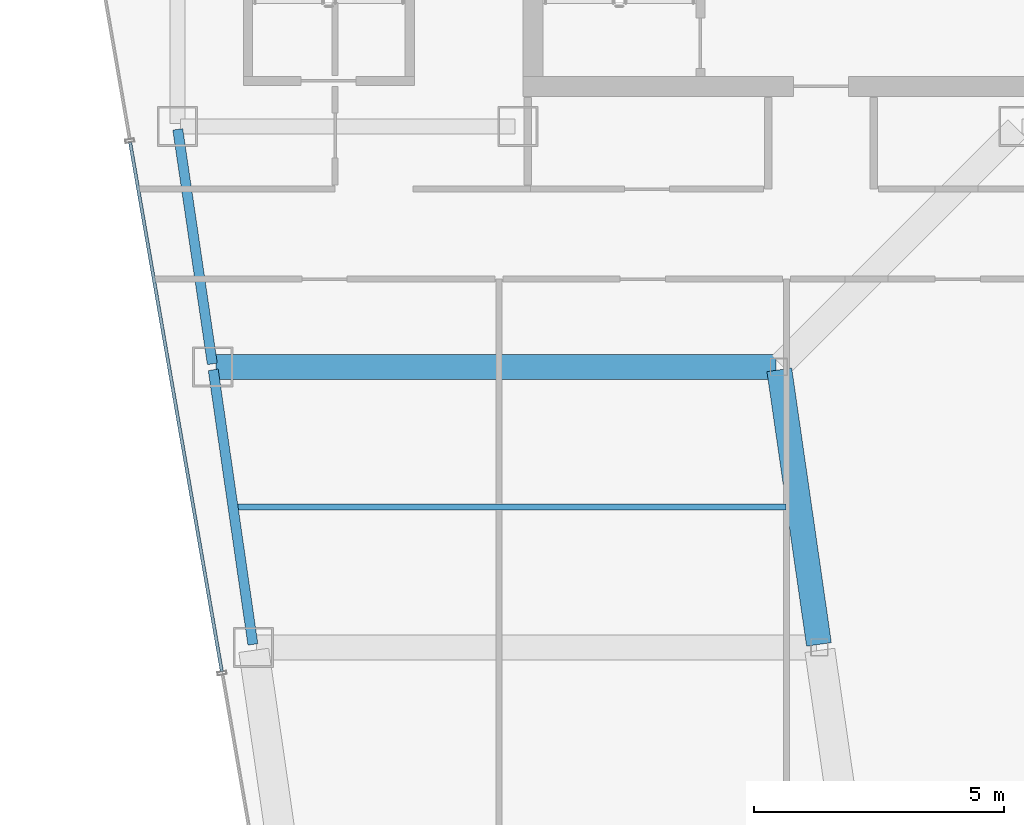
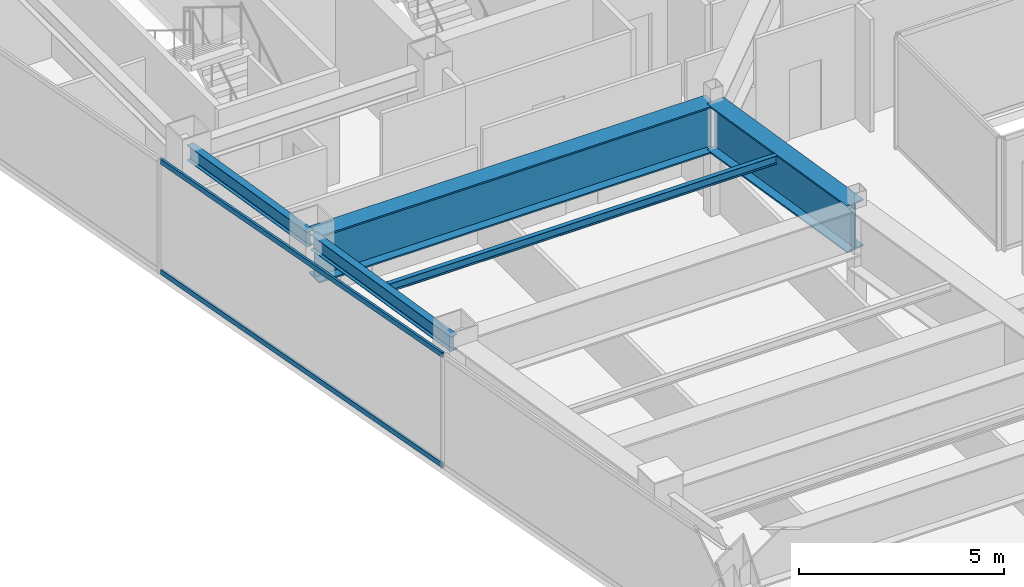
# One storey, part 9 of 35: 5 beams, 2 members, 1 element without a shape of its own.
"""IFC4 building model written with IfcOpenShell, lengths in metres."""

import ifcopenshell
import ifcopenshell.guid

model = None  # the IFC model being written
_history = None  # IfcOwnerHistory: only IFC2X3 demands one
_inside = {}  # id of a spatial element -> (the spatial element, [elements in it])
_under = {}  # id of a project, library or spatial element -> (it, [spatial elements below it])
_declared = {}  # id of a project -> (the project, [libraries it declares])
_typed = {}  # id of a type object -> (the type object, [elements of that type])
_made_of = {}  # id of a material, layer set ... -> (it, [elements and type objects made of it])


def new_model(schema):
    """Start an empty IFC model of exactly this schema.

    Asked for "IFC4X3", IfcOpenShell would pick the latest addendum, in which some entities
    have other attributes; the version numbers below select the first issue.
    IFC2X3 requires an IfcOwnerHistory on every rooted entity: one is made here for all.
    """
    global model, _history
    if schema == "IFC4X3":
        model = ifcopenshell.file(schema_version=(4, 3, 0, 0))
    else:
        model = ifcopenshell.file(schema=schema)
    _inside.clear()
    _under.clear()
    _declared.clear()
    _typed.clear()
    _made_of.clear()
    _history = None
    if model.schema == "IFC2X3":
        org = make("IfcOrganization", Name="unknown")
        user = make(
            "IfcPersonAndOrganization",
            ThePerson=make("IfcPerson", FamilyName="unknown"),
            TheOrganization=org,
        )
        app = make(
            "IfcApplication",
            ApplicationDeveloper=org,
            Version="unknown",
            ApplicationFullName="unknown",
            ApplicationIdentifier="unknown",
        )
        _history = make(
            "IfcOwnerHistory",
            OwningUser=user,
            OwningApplication=app,
            ChangeAction="ADDED",
            CreationDate=0,
        )
    return model


def make(cls, **values):
    """One entity of the class cls with the attributes given. An attribute that is None is left unset."""
    return model.create_entity(
        cls, **{name: value for name, value in values.items() if value is not None}
    )


def rooted(cls, **values):
    """An entity with a GlobalId (a new one), such as an element, a storey or a relation."""
    return make(cls, GlobalId=ifcopenshell.guid.new(), OwnerHistory=_history, **values)


def si_unit(unit_type, name, prefix=None):
    """IfcSIUnit, for example si_unit("LENGTHUNIT", "METRE", prefix="MILLI")."""
    return make("IfcSIUnit", UnitType=unit_type, Prefix=prefix, Name=name)


def assignment(units):
    """IfcUnitAssignment: the units of a project."""
    return None if units is None else make("IfcUnitAssignment", Units=units)


def point(xyz):
    """IfcCartesianPoint."""
    return None if xyz is None else make("IfcCartesianPoint", Coordinates=xyz)


def direction(xyz):
    """IfcDirection."""
    return None if xyz is None else make("IfcDirection", DirectionRatios=xyz)


def frame(location, z_axis=None, x_axis=None):
    """IfcAxis2Placement3D, a coordinate frame: its origin and axes. An axis left out is left unset."""
    return make(
        "IfcAxis2Placement3D",
        Location=point(location),
        Axis=direction(z_axis),
        RefDirection=direction(x_axis),
    )


def frame_2d(location, x_axis=None):
    """IfcAxis2Placement2D, a coordinate frame in the plane: its origin and x axis."""
    return make(
        "IfcAxis2Placement2D", Location=point(location), RefDirection=direction(x_axis)
    )


def origin():
    """The frame at (0, 0, 0) with its axes left unset."""
    return frame((0.0, 0.0, 0.0))


def origin_2d():
    """The frame at (0, 0) in the plane with its x axis left unset."""
    return frame_2d((0.0, 0.0))


def place(relative_to, where):
    """IfcLocalPlacement: puts the frame where relative to a parent placement (None: the world)."""
    return make(
        "IfcLocalPlacement", PlacementRelTo=relative_to, RelativePlacement=where
    )


def context(
    kind, dimensions, precision=None, world=None, true_north=None, identifier=None
):
    """IfcGeometricRepresentationContext, for example the 3D "Model" context."""
    return make(
        "IfcGeometricRepresentationContext",
        ContextIdentifier=identifier,
        ContextType=kind,
        CoordinateSpaceDimension=dimensions,
        Precision=precision,
        WorldCoordinateSystem=world,
        TrueNorth=true_north,
    )


def subcontext(parent, identifier, kind, view, scale=None):
    """IfcGeometricRepresentationSubContext, for example "Body" below "Model"."""
    return make(
        "IfcGeometricRepresentationSubContext",
        ContextIdentifier=identifier,
        ContextType=kind,
        ParentContext=parent,
        TargetScale=scale,
        TargetView=view,
    )


def project(units=None, contexts=None):
    """IfcProject with its units and contexts."""
    return rooted(
        "IfcProject",
        Name="project",
        RepresentationContexts=contexts,
        UnitsInContext=assignment(units),
    )


def spatial(cls, under=None, at=None, **own):
    """A site, building, storey or space (cls), placed at a placement, below another one or the project."""
    s = rooted(cls, ObjectPlacement=at, **own)
    if under is not None:
        _under.setdefault(under.id(), (under, []))[1].append(s)
    return s


def profile(cls, at=None, kind="AREA", **sizes):
    """A parametric profile (cls). Its sizes go by their IFC names, for example OverallWidth=200.0."""
    return make(cls, ProfileType=kind, Position=at, **sizes)


def hollow_rectangle(**sizes):
    """IfcRectangleHollowProfileDef."""
    return profile("IfcRectangleHollowProfileDef", **sizes)


def i_section(**sizes):
    """IfcIShapeProfileDef."""
    return profile("IfcIShapeProfileDef", **sizes)


def extrude(swept, where, along, depth):
    """IfcExtrudedAreaSolid: the profile swept, set in the frame where, extruded along a direction by depth."""
    return make(
        "IfcExtrudedAreaSolid",
        SweptArea=swept,
        Position=where,
        ExtrudedDirection=direction(along),
        Depth=depth,
    )


def shape(context_of_items, identifier, shape_type, items):
    """IfcShapeRepresentation: the items that make up one representation, for example the "Body"."""
    return make(
        "IfcShapeRepresentation",
        ContextOfItems=context_of_items,
        RepresentationIdentifier=identifier,
        RepresentationType=shape_type,
        Items=items,
    )


def material(Name=None, Category=None):
    """IfcMaterial."""
    return make("IfcMaterial", Name=Name, Category=Category)


def material_profile(
    of_material, cross_section, Name=None, Category=None, Priority=None
):
    """IfcMaterialProfile: a cross section and its material."""
    return make(
        "IfcMaterialProfile",
        Name=Name,
        Material=of_material,
        Profile=cross_section,
        Priority=Priority,
        Category=Category,
    )


def profile_set(profiles, Name=None, composite=None):
    """IfcMaterialProfileSet."""
    return make(
        "IfcMaterialProfileSet",
        Name=Name,
        MaterialProfiles=profiles,
        CompositeProfile=composite,
    )


def made_of(thing, what):
    """Note that an element or type object is made of a material, layer set ...; save() writes the relation."""
    if what is not None:
        _made_of.setdefault(what.id(), (what, []))[1].append(thing)
    return thing


def type_object(cls, material=None, **own):
    """A type object (cls), such as IfcWallType, which elements share."""
    return made_of(rooted(cls, **own), material)


def element(
    cls,
    number,
    at=None,
    inside=None,
    cuts=None,
    type_object=None,
    material=None,
    context=None,
    identifier="Body",
    shape_type=None,
    held_by="IfcProductDefinitionShape",
    body=None,
    shapes=None,
    **own,
):
    """One element of the class cls, such as IfcWall. Its Tag is "e" and its number.

    at: its placement. inside: the storey or other place that contains it. cuts: it is an
    opening in that element (IfcRelVoidsElement). A single representation is given by context,
    identifier, shape_type and body (its items); several are given by shapes. held_by: the class
    of the entity that holds the representations. save() writes the other relations.
    """
    e = rooted(cls, Tag="e%d" % number, ObjectPlacement=at, **own)
    if body is not None:
        shapes = [shape(context, identifier, shape_type, body)]
    if shapes is not None:
        e.Representation = make(held_by, Representations=shapes)
    if inside is not None:
        _inside.setdefault(inside.id(), (inside, []))[1].append(e)
    if cuts is not None:
        rooted(
            "IfcRelVoidsElement", RelatingBuildingElement=cuts, RelatedOpeningElement=e
        )
    if type_object is not None:
        _typed.setdefault(type_object.id(), (type_object, []))[1].append(e)
    return made_of(e, material)


def aggregate(whole, parts):
    """IfcRelAggregates: a whole, such as a stair, and the parts it consists of."""
    return rooted("IfcRelAggregates", RelatingObject=whole, RelatedObjects=parts)


def save(model, path):
    """Write the relations noted so far, then the file.

    IfcRelAggregates (storeys below a building ...), IfcRelContainedInSpatialStructure (elements
    in a storey), IfcRelDefinesByType, IfcRelAssociatesMaterial and IfcRelDeclares: one each for
    every whole, place, type object, material and project.
    """
    for whole, parts in _under.values():
        aggregate(whole, parts)
    for where, things in _inside.values():
        rooted(
            "IfcRelContainedInSpatialStructure",
            RelatedElements=things,
            RelatingStructure=where,
        )
    for kind, things in _typed.values():
        rooted("IfcRelDefinesByType", RelatedObjects=things, RelatingType=kind)
    for what, things in _made_of.values():
        rooted("IfcRelAssociatesMaterial", RelatedObjects=things, RelatingMaterial=what)
    for by, libraries in _declared.values():
        rooted("IfcRelDeclares", RelatingContext=by, RelatedDefinitions=libraries)
    model.write(path)


model = new_model("IFC4")

# Units and contexts
model_context = context("Model", 3, precision=1e-05, world=origin(), true_north=direction((0.0, 1.0)))
body_context = subcontext(model_context, "Body", "Model", "MODEL_VIEW")
ifc_project = project(units=[si_unit("LENGTHUNIT", "METRE"), si_unit("AREAUNIT", "SQUARE_METRE"), si_unit("VOLUMEUNIT", "CUBIC_METRE"), si_unit("PLANEANGLEUNIT", "RADIAN"), si_unit("MASSUNIT", "GRAM", prefix="KILO")], contexts=[model_context])

# Site, building, storey
site_placement = place(None, origin())
site = spatial("IfcSite", under=ifc_project, at=site_placement, CompositionType="ELEMENT")
building_placement = place(site_placement, origin())
building = spatial("IfcBuilding", under=site, at=building_placement, Name="Saevonmaru Cultural Tower", CompositionType="ELEMENT")
storey_placement = place(building_placement, frame((0.0, 0.0, 249.60009765625)))
storey = spatial("IfcBuildingStorey", under=building, at=storey_placement, Name="L58", CompositionType="ELEMENT", Elevation=249.60009765625)

# Beams
ifc_material_1 = material(Name="Steel SM355", Category="steel")
ifc_material_profile_1 = material_profile(ifc_material_1, i_section(OverallWidth=0.125, OverallDepth=0.25, WebThickness=0.006103515625, FlangeThickness=0.009033203125, FilletRadius=0.008056640625, at=origin_2d()), Name="H-250x125x6x9")
ifc_profile_set_1 = profile_set([ifc_material_profile_1], Name="Steel SM355")
beam_type_1 = type_object("IfcBeamType", Name="BM-J-H250", PredefinedType="JOIST", material=ifc_profile_set_1)
beam_1_placement = place(storey_placement, frame((7.972412109375, 34.800048828125, 3.224853515625), z_axis=(1.0, 0.0, 0.0), x_axis=(0.0, 1.0, 0.0)))
element("IfcBeam", 1, at=beam_1_placement, inside=storey, type_object=beam_type_1, Name="L58 West Wing Floor Joist 3", PredefinedType="JOIST", context=body_context, shape_type="SweptSolid", body=[
    extrude(i_section(OverallWidth=0.125, OverallDepth=0.25, WebThickness=0.006103515625, FlangeThickness=0.009033203125, FilletRadius=0.008056640625, at=origin_2d()), origin(), (0.0, 0.0, 1.0), 10.982177734375),
])
ifc_material_profile_2 = material_profile(ifc_material_1, i_section(OverallWidth=0.199951171875, OverallDepth=0.449951171875, WebThickness=0.009033203125, FlangeThickness=0.013916015625, FilletRadius=0.01806640625, at=origin_2d()), Name="H-450x200x9x14")
ifc_profile_set_2 = profile_set([ifc_material_profile_2], Name="Steel SM355")
beam_type_2 = type_object("IfcBeamType", Name="BM-SP-H450", PredefinedType="SPANDREL", material=ifc_profile_set_2)
beam_2_placement = place(storey_placement, frame((8.308349609375, 32.059326171875, 3.125), z_axis=(-0.142964121327, 0.989727871697, 0.0), x_axis=(-0.989727871697, -0.142964121327, 0.0)))
element("IfcBeam", 2, at=beam_2_placement, inside=storey, type_object=beam_type_2, Name="L58 West Splayed Spandrel 3", PredefinedType="SPANDREL", context=body_context, shape_type="SweptSolid", body=[
    extrude(i_section(OverallWidth=0.199951171875, OverallDepth=0.449951171875, WebThickness=0.009033203125, FlangeThickness=0.013916015625, FilletRadius=0.01806640625, at=origin_2d()), origin(), (0.0, 0.0, 1.0), 5.5380859375),
])
beam_3_placement = place(storey_placement, frame((7.499267578125, 37.659423828125, 3.125), z_axis=(-0.145912860028, 0.989297446312, 0.0), x_axis=(-0.989297446312, -0.145912860028, 0.0)))
element("IfcBeam", 3, at=beam_3_placement, inside=storey, type_object=beam_type_2, Name="L58 West Splayed Spandrel 4", PredefinedType="SPANDREL", context=body_context, shape_type="SweptSolid", body=[
    extrude(i_section(OverallWidth=0.199951171875, OverallDepth=0.449951171875, WebThickness=0.009033203125, FlangeThickness=0.013916015625, FilletRadius=0.01806640625, at=origin_2d()), origin(), (0.0, 0.0, 1.0), 4.731689453125),
])
ifc_material_2 = material(Name="Steel HSA600 (600 MPa)", Category="steel")
ifc_material_profile_3 = material_profile(ifc_material_2, i_section(OverallWidth=0.5, OverallDepth=1.39990234375, WebThickness=0.02392578125, FlangeThickness=0.044921875, at=origin_2d()), Name="PG-1400x500x24x45")
ifc_profile_set_3 = profile_set([ifc_material_profile_3], Name="Steel HSA600 (600 MPa)")
beam_type_3 = type_object("IfcBeamType", Name="BM-TG-PG1400", PredefinedType="BEAM", material=ifc_profile_set_3)
beam_4_placement = place(storey_placement, frame((19.6083984375, 32.059326171875, 2.64990234375), z_axis=(-0.142964121327, 0.989727871697, 0.0), x_axis=(-0.989727871697, -0.142964121327, 0.0)))
element("IfcBeam", 4, at=beam_4_placement, inside=storey, type_object=beam_type_3, Name="L58 West Atrium Girder 3", PredefinedType="BEAM", context=body_context, shape_type="SweptSolid", body=[
    extrude(i_section(OverallWidth=0.5, OverallDepth=1.39990234375, WebThickness=0.02392578125, FlangeThickness=0.044921875, at=origin_2d()), origin(), (0.0, 0.0, 1.0), 5.5380859375),
])
beam_5_placement = place(storey_placement, frame((7.568115234375, 37.60009765625, 2.64990234375), z_axis=(1.0, 0.0, 0.0), x_axis=(0.0, 1.0, 0.0)))
element("IfcBeam", 5, at=beam_5_placement, inside=storey, type_object=beam_type_3, Name="L58 West Wing Transverse Girder 4", PredefinedType="BEAM", context=body_context, shape_type="SweptSolid", body=[
    extrude(i_section(OverallWidth=0.5, OverallDepth=1.39990234375, WebThickness=0.02392578125, FlangeThickness=0.044921875, at=origin_2d()), origin(), (0.0, 0.0, 1.0), 11.179931640625),
])

# Curtain wall, members
ifc_material_3 = material(Name="Satin Bronze Anodised Aluminium", Category="aluminium")
curtain_wall_type = type_object("IfcCurtainWallType", Name="CW-TYP-B", PredefinedType="NOTDEFINED", material=ifc_material_3)
curtain_wall_placement = place(storey_placement, origin())
curtain_wall = element("IfcCurtainWall", 6, at=curtain_wall_placement, inside=storey, type_object=curtain_wall_type, Name="L58 Unitised Curtain Wall E12", PredefinedType="NOTDEFINED")
ifc_material_profile_4 = material_profile(ifc_material_3, hollow_rectangle(XDim=0.06494140625, YDim=0.14990234375, WallThickness=0.00390625, at=origin_2d()), Name="ALU-TRAN-150x65x4")
ifc_profile_set_4 = profile_set([ifc_material_profile_4], Name="Satin Bronze Anodised Aluminium")
member_type = type_object("IfcMemberType", Name="TR-CW-150x65", PredefinedType="USERDEFINED", material=ifc_profile_set_4)
member_1_placement = place(storey_placement, frame((5.85791015625, 42.08154296875, 0.032470703125), z_axis=(0.170795272137, -0.985306538604, 0.0), x_axis=(0.985306538604, 0.170795272137, 0.0)))
member_1 = element("IfcMember", 7, at=member_1_placement, type_object=member_type, Name="CW-TW-L58-E12 transom 2.1", ObjectType="TRANSOM", PredefinedType="USERDEFINED", context=body_context, shape_type="SweptSolid", body=[
    extrude(hollow_rectangle(XDim=0.06494140625, YDim=0.14990234375, WallThickness=0.00390625, at=origin_2d()), origin(), (0.0, 0.0, 1.0), 10.720703125),
])
member_2_placement = place(storey_placement, frame((5.85791015625, 42.08154296875, 3.3173828125), z_axis=(0.170795272137, -0.985306538604, 0.0), x_axis=(0.985306538604, 0.170795272137, 0.0)))
member_2 = element("IfcMember", 8, at=member_2_placement, type_object=member_type, Name="CW-TW-L58-E12 transom 2.2", ObjectType="TRANSOM", PredefinedType="USERDEFINED", context=body_context, shape_type="SweptSolid", body=[
    extrude(hollow_rectangle(XDim=0.06494140625, YDim=0.14990234375, WallThickness=0.00390625, at=origin_2d()), origin(), (0.0, 0.0, 1.0), 10.720703125),
])
aggregate(curtain_wall, [member_1, member_2])

save(model, "model.ifc")
